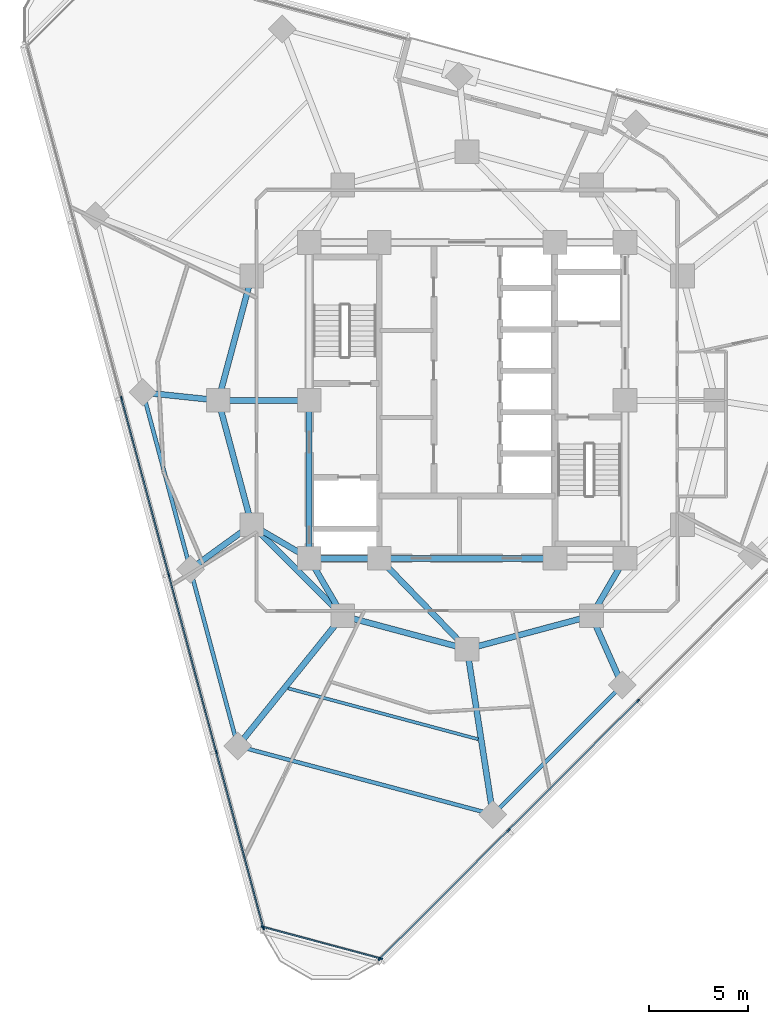
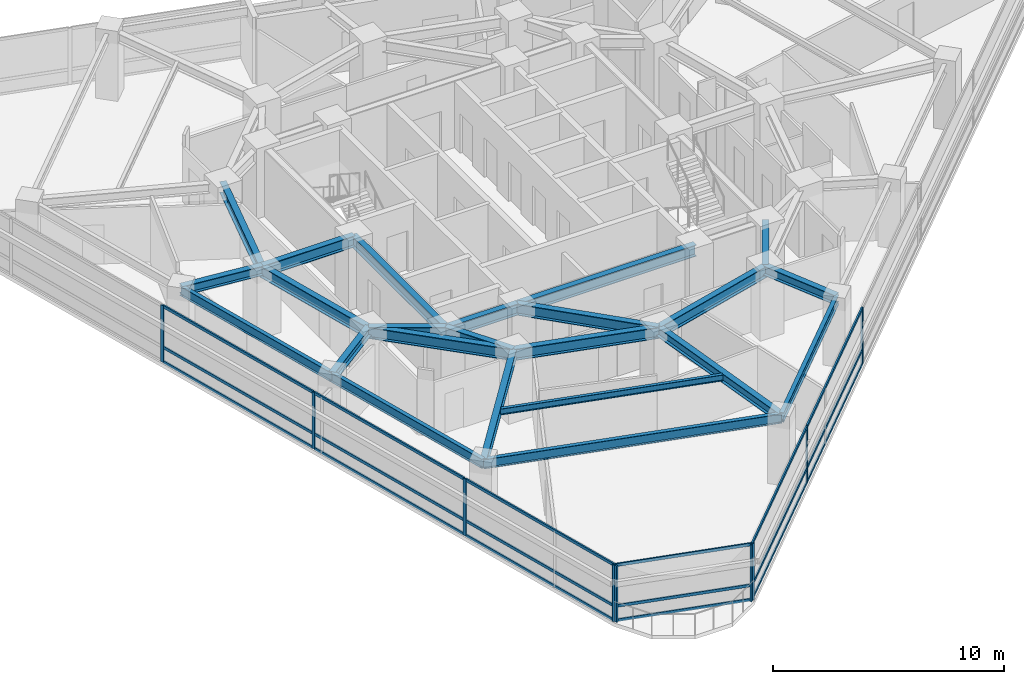
# One storey, part 2 of 14: 27 members, 23 beams, 3 elements without a shape of their own.
"""IFC4 building model written with IfcOpenShell, lengths in metres."""

from ifc_helpers import new_model, si_unit, direction, frame, origin, origin_2d, place, context, subcontext, project, spatial, rectangle, i_section, extrude, material, layer, layer_set, material_profile, profile_set, type_object, element, aggregate, save


model = new_model("IFC4")

# Units and contexts
model_context = context("Model", 3, precision=1e-05, world=origin(), true_north=direction((0.0, 1.0)))
body_context = subcontext(model_context, "Body", "Model", "MODEL_VIEW")
ifc_project = project(units=[si_unit("LENGTHUNIT", "METRE"), si_unit("AREAUNIT", "SQUARE_METRE"), si_unit("VOLUMEUNIT", "CUBIC_METRE"), si_unit("PLANEANGLEUNIT", "RADIAN"), si_unit("MASSUNIT", "GRAM", prefix="KILO")], contexts=[model_context])

# Site, building, storey
site_placement = place(None, origin())
site = spatial("IfcSite", under=ifc_project, at=site_placement, CompositionType="ELEMENT")
building_placement = place(site_placement, origin())
building = spatial("IfcBuilding", under=site, at=building_placement, Name="Terralouvre Media Tower", CompositionType="ELEMENT")
storey_placement = place(building_placement, frame((0.0, 0.0, 191.60009765625)))
storey = spatial("IfcBuildingStorey", under=building, at=storey_placement, Name="L49", CompositionType="ELEMENT", Elevation=191.60009765625)

# Beam
ifc_material_1 = material(Name="Structural steel S355J2", Category="steel")
ifc_material_profile_1 = material_profile(ifc_material_1, i_section(OverallWidth=0.159912109375, OverallDepth=0.330078125, WebThickness=0.007568359375, FlangeThickness=0.011474609375, at=origin_2d()), Name="IPE 330")
ifc_profile_set_1 = profile_set([ifc_material_profile_1], Name="Structural steel S355J2")
beam_type_1 = type_object("IfcBeamType", Name="Composite Floor Joist J-IPE330 (IPE 330)", PredefinedType="JOIST", material=ifc_profile_set_1)
beam_1_placement = place(storey_placement, frame((-9.067626953125, -14.58349609375, 3.3349609375), z_axis=(0.965923672222, -0.258827084055, 0.0), x_axis=(0.258827084055, 0.965923672222, 0.0)))
element("IfcBeam", 1, at=beam_1_placement, inside=storey, type_object=beam_type_1, Name="L49 Framing Beam JT-L49-01", PredefinedType="JOIST", context=body_context, shape_type="SweptSolid", body=[
    extrude(i_section(OverallWidth=0.159912109375, OverallDepth=0.330078125, WebThickness=0.007568359375, FlangeThickness=0.011474609375, at=origin_2d()), origin(), (0.0, 0.0, 1.0), 9.96826171875),
])

# Curtain wall, members
ifc_material_2 = material(Name="Low-iron laminated double glazing with solar-control coating", Category="glass")
ifc_layer_1 = layer(ifc_material_2, 0.1650390625, Name="Production Studio Tower Curtain Wall CW-03")
ifc_layer_set_1 = layer_set([ifc_layer_1], Name="Low-iron laminated double glazing with solar-control coating")
curtain_wall_type_1 = type_object("IfcCurtainWallType", Name="Production Studio Tower Curtain Wall CW-03", PredefinedType="NOTDEFINED", material=ifc_layer_set_1)
curtain_wall_1_placement = place(storey_placement, origin())
curtain_wall_1 = element("IfcCurtainWall", 2, at=curtain_wall_1_placement, inside=storey, type_object=curtain_wall_type_1, Name="L49 Facade Curtain Wall F0", PredefinedType="NOTDEFINED")
ifc_material_3 = material(Name="Anodised extruded aluminium 6063-T6", Category="aluminium")
ifc_material_profile_2 = material_profile(ifc_material_3, rectangle(XDim=0.074951171875, YDim=0.14990234375, at=origin_2d()), Name="ALU 75x150")
ifc_profile_set_2 = profile_set([ifc_material_profile_2], Name="Anodised extruded aluminium 6063-T6")
member_type_1 = type_object("IfcMemberType", Name="Curtain-Wall Horizontal Transom TR-150", PredefinedType="USERDEFINED", material=ifc_profile_set_2)
member_1_placement = place(storey_placement, frame((-4.399658203125, -28.27587890625, 0.037353515625), z_axis=(0.707106781187, 0.707106781187, 0.0), x_axis=(-0.707106781187, 0.707106781187, 0.0)))
member_1 = element("IfcMember", 3, at=member_1_placement, type_object=member_type_1, Name="CW-03 transom 1.1", ObjectType="TRANSOM", PredefinedType="USERDEFINED", context=body_context, shape_type="SweptSolid", body=[
    extrude(rectangle(XDim=0.074951171875, YDim=0.14990234375, at=origin_2d()), origin(), (0.0, 0.0, 1.0), 9.15966796875),
])
member_2_placement = place(storey_placement, frame((-4.399658203125, -28.27587890625, 0.7998046875), z_axis=(0.707106781187, 0.707106781187, 0.0), x_axis=(-0.707106781187, 0.707106781187, 0.0)))
member_2 = element("IfcMember", 4, at=member_2_placement, type_object=member_type_1, Name="CW-03 transom 1.2", ObjectType="TRANSOM", PredefinedType="USERDEFINED", context=body_context, shape_type="SweptSolid", body=[
    extrude(rectangle(XDim=0.074951171875, YDim=0.14990234375, at=origin_2d()), origin(), (0.0, 0.0, 1.0), 9.15966796875),
])
member_3_placement = place(storey_placement, frame((-4.399658203125, -28.27587890625, 2.96240234375), z_axis=(0.707106781187, 0.707106781187, 0.0), x_axis=(-0.707106781187, 0.707106781187, 0.0)))
member_3 = element("IfcMember", 5, at=member_3_placement, type_object=member_type_1, Name="CW-03 transom 1.3", ObjectType="TRANSOM", PredefinedType="USERDEFINED", context=body_context, shape_type="SweptSolid", body=[
    extrude(rectangle(XDim=0.074951171875, YDim=0.14990234375, at=origin_2d()), origin(), (0.0, 0.0, 1.0), 9.15966796875),
])
member_4_placement = place(storey_placement, frame((2.130126953125, -21.74609375, 0.037353515625), z_axis=(0.707093508293, 0.707120053831, 0.0), x_axis=(-0.707120053831, 0.707093508293, 0.0)))
member_4 = element("IfcMember", 6, at=member_4_placement, type_object=member_type_1, Name="CW-03 transom 2.1", ObjectType="TRANSOM", PredefinedType="USERDEFINED", context=body_context, shape_type="SweptSolid", body=[
    extrude(rectangle(XDim=0.074951171875, YDim=0.14990234375, at=origin_2d()), origin(), (0.0, 0.0, 1.0), 9.197021484375),
])
member_5_placement = place(storey_placement, frame((2.130126953125, -21.74609375, 0.7998046875), z_axis=(0.707093508293, 0.707120053831, 0.0), x_axis=(-0.707120053831, 0.707093508293, 0.0)))
member_5 = element("IfcMember", 7, at=member_5_placement, type_object=member_type_1, Name="CW-03 transom 2.2", ObjectType="TRANSOM", PredefinedType="USERDEFINED", context=body_context, shape_type="SweptSolid", body=[
    extrude(rectangle(XDim=0.074951171875, YDim=0.14990234375, at=origin_2d()), origin(), (0.0, 0.0, 1.0), 9.197021484375),
])
member_6_placement = place(storey_placement, frame((2.130126953125, -21.74609375, 2.96240234375), z_axis=(0.707093508293, 0.707120053831, 0.0), x_axis=(-0.707120053831, 0.707093508293, 0.0)))
member_6 = element("IfcMember", 8, at=member_6_placement, type_object=member_type_1, Name="CW-03 transom 2.3", ObjectType="TRANSOM", PredefinedType="USERDEFINED", context=body_context, shape_type="SweptSolid", body=[
    extrude(rectangle(XDim=0.074951171875, YDim=0.14990234375, at=origin_2d()), origin(), (0.0, 0.0, 1.0), 9.197021484375),
])

curtain_wall_2_placement = place(storey_placement, origin())
curtain_wall_2 = element("IfcCurtainWall", 9, at=curtain_wall_2_placement, inside=storey, type_object=curtain_wall_type_1, Name="L49 Facade Curtain Wall F2", PredefinedType="NOTDEFINED")
member_7_placement = place(storey_placement, frame((-17.497802734375, 0.072265625, 0.037353515625), z_axis=(0.25881569625, -0.965926723605, 0.0), x_axis=(0.965926723605, 0.25881569625, 0.0)))
member_7 = element("IfcMember", 10, at=member_7_placement, type_object=member_type_1, Name="CW-03 transom 3.1", ObjectType="TRANSOM", PredefinedType="USERDEFINED", context=body_context, shape_type="SweptSolid", body=[
    extrude(rectangle(XDim=0.074951171875, YDim=0.14990234375, at=origin_2d()), origin(), (0.0, 0.0, 1.0), 9.197265625),
])
member_8_placement = place(storey_placement, frame((-17.497802734375, 0.072265625, 0.7998046875), z_axis=(0.25881569625, -0.965926723605, 0.0), x_axis=(0.965926723605, 0.25881569625, 0.0)))
member_8 = element("IfcMember", 11, at=member_8_placement, type_object=member_type_1, Name="CW-03 transom 3.2", ObjectType="TRANSOM", PredefinedType="USERDEFINED", context=body_context, shape_type="SweptSolid", body=[
    extrude(rectangle(XDim=0.074951171875, YDim=0.14990234375, at=origin_2d()), origin(), (0.0, 0.0, 1.0), 9.197265625),
])
member_9_placement = place(storey_placement, frame((-17.497802734375, 0.072265625, 2.96240234375), z_axis=(0.25881569625, -0.965926723605, 0.0), x_axis=(0.965926723605, 0.25881569625, 0.0)))
member_9 = element("IfcMember", 12, at=member_9_placement, type_object=member_type_1, Name="CW-03 transom 3.3", ObjectType="TRANSOM", PredefinedType="USERDEFINED", context=body_context, shape_type="SweptSolid", body=[
    extrude(rectangle(XDim=0.074951171875, YDim=0.14990234375, at=origin_2d()), origin(), (0.0, 0.0, 1.0), 9.197265625),
])
member_10_placement = place(storey_placement, frame((-15.09814453125, -8.8837890625, 0.037353515625), z_axis=(0.25881569625, -0.965926723605, 0.0), x_axis=(0.965926723605, 0.25881569625, 0.0)))
member_10 = element("IfcMember", 13, at=member_10_placement, type_object=member_type_1, Name="CW-03 transom 4.1", ObjectType="TRANSOM", PredefinedType="USERDEFINED", context=body_context, shape_type="SweptSolid", body=[
    extrude(rectangle(XDim=0.074951171875, YDim=0.14990234375, at=origin_2d()), origin(), (0.0, 0.0, 1.0), 9.197265625),
])
member_11_placement = place(storey_placement, frame((-15.09814453125, -8.8837890625, 0.7998046875), z_axis=(0.25881569625, -0.965926723605, 0.0), x_axis=(0.965926723605, 0.25881569625, 0.0)))
member_11 = element("IfcMember", 14, at=member_11_placement, type_object=member_type_1, Name="CW-03 transom 4.2", ObjectType="TRANSOM", PredefinedType="USERDEFINED", context=body_context, shape_type="SweptSolid", body=[
    extrude(rectangle(XDim=0.074951171875, YDim=0.14990234375, at=origin_2d()), origin(), (0.0, 0.0, 1.0), 9.197265625),
])
member_12_placement = place(storey_placement, frame((-15.09814453125, -8.8837890625, 2.96240234375), z_axis=(0.25881569625, -0.965926723605, 0.0), x_axis=(0.965926723605, 0.25881569625, 0.0)))
member_12 = element("IfcMember", 15, at=member_12_placement, type_object=member_type_1, Name="CW-03 transom 4.3", ObjectType="TRANSOM", PredefinedType="USERDEFINED", context=body_context, shape_type="SweptSolid", body=[
    extrude(rectangle(XDim=0.074951171875, YDim=0.14990234375, at=origin_2d()), origin(), (0.0, 0.0, 1.0), 9.197265625),
])
member_13_placement = place(storey_placement, frame((-12.6982421875, -17.83984375, 0.037353515625), z_axis=(0.25881380313, -0.965927230856, 0.0), x_axis=(0.965927230856, 0.25881380313, 0.0)))
member_13 = element("IfcMember", 16, at=member_13_placement, type_object=member_type_1, Name="CW-03 transom 5.1", ObjectType="TRANSOM", PredefinedType="USERDEFINED", context=body_context, shape_type="SweptSolid", body=[
    extrude(rectangle(XDim=0.074951171875, YDim=0.14990234375, at=origin_2d()), origin(), (0.0, 0.0, 1.0), 9.159423828125),
])
member_14_placement = place(storey_placement, frame((-12.6982421875, -17.83984375, 0.7998046875), z_axis=(0.25881380313, -0.965927230856, 0.0), x_axis=(0.965927230856, 0.25881380313, 0.0)))
member_14 = element("IfcMember", 17, at=member_14_placement, type_object=member_type_1, Name="CW-03 transom 5.2", ObjectType="TRANSOM", PredefinedType="USERDEFINED", context=body_context, shape_type="SweptSolid", body=[
    extrude(rectangle(XDim=0.074951171875, YDim=0.14990234375, at=origin_2d()), origin(), (0.0, 0.0, 1.0), 9.159423828125),
])
member_15_placement = place(storey_placement, frame((-12.6982421875, -17.83984375, 2.96240234375), z_axis=(0.25881380313, -0.965927230856, 0.0), x_axis=(0.965927230856, 0.25881380313, 0.0)))
member_15 = element("IfcMember", 18, at=member_15_placement, type_object=member_type_1, Name="CW-03 transom 5.3", ObjectType="TRANSOM", PredefinedType="USERDEFINED", context=body_context, shape_type="SweptSolid", body=[
    extrude(rectangle(XDim=0.074951171875, YDim=0.14990234375, at=origin_2d()), origin(), (0.0, 0.0, 1.0), 9.159423828125),
])

ifc_material_4 = material(Name="Low-iron laminated double glazing with solar-control coating", Category="glass")
ifc_layer_2 = layer(ifc_material_4, 0.1650390625, Name="Rounded Wind-Corner Curved Glazing CW-04")
ifc_layer_set_2 = layer_set([ifc_layer_2], Name="Low-iron laminated double glazing with solar-control coating")
curtain_wall_type_2 = type_object("IfcCurtainWallType", Name="Rounded Wind-Corner Curved Glazing CW-04", PredefinedType="NOTDEFINED", material=ifc_layer_set_2)
curtain_wall_3_placement = place(storey_placement, origin())
curtain_wall_3 = element("IfcCurtainWall", 19, at=curtain_wall_3_placement, inside=storey, type_object=curtain_wall_type_2, Name="L49 Rounded Wind-Corner Curtain Wall C0", PredefinedType="NOTDEFINED")
member_16_placement = place(storey_placement, frame((-10.3154296875, -26.675048828125, 0.037353515625), z_axis=(0.965924368155, -0.25882448687, 0.0), x_axis=(0.25882448687, 0.965924368155, 0.0)))
member_16 = element("IfcMember", 20, at=member_16_placement, type_object=member_type_1, Name="CW-04 transom 1.1", ObjectType="TRANSOM", PredefinedType="USERDEFINED", context=body_context, shape_type="SweptSolid", body=[
    extrude(rectangle(XDim=0.074951171875, YDim=0.14990234375, at=origin_2d()), origin(), (0.0, 0.0, 1.0), 6.119873046875),
])
member_17_placement = place(storey_placement, frame((-10.3154296875, -26.675048828125, 0.7998046875), z_axis=(0.965924368155, -0.25882448687, 0.0), x_axis=(0.25882448687, 0.965924368155, 0.0)))
member_17 = element("IfcMember", 21, at=member_17_placement, type_object=member_type_1, Name="CW-04 transom 1.2", ObjectType="TRANSOM", PredefinedType="USERDEFINED", context=body_context, shape_type="SweptSolid", body=[
    extrude(rectangle(XDim=0.074951171875, YDim=0.14990234375, at=origin_2d()), origin(), (0.0, 0.0, 1.0), 6.119873046875),
])
member_18_placement = place(storey_placement, frame((-10.3154296875, -26.675048828125, 2.96240234375), z_axis=(0.965924368155, -0.25882448687, 0.0), x_axis=(0.25882448687, 0.965924368155, 0.0)))
member_18 = element("IfcMember", 22, at=member_18_placement, type_object=member_type_1, Name="CW-04 transom 1.3", ObjectType="TRANSOM", PredefinedType="USERDEFINED", context=body_context, shape_type="SweptSolid", body=[
    extrude(rectangle(XDim=0.074951171875, YDim=0.14990234375, at=origin_2d()), origin(), (0.0, 0.0, 1.0), 6.119873046875),
])

# Member
ifc_material_5 = material(Name="Anodised extruded aluminium 6063-T6", Category="aluminium")
ifc_material_profile_3 = material_profile(ifc_material_5, rectangle(XDim=0.074951171875, YDim=0.179931640625, at=origin_2d()), Name="ALU 75x180")
ifc_profile_set_3 = profile_set([ifc_material_profile_3], Name="Anodised extruded aluminium 6063-T6")
member_type_2 = type_object("IfcMemberType", Name="Curtain-Wall Vertical Mullion ML-180", PredefinedType="MULLION", material=ifc_profile_set_3)
member_19_placement = place(storey_placement, frame((-4.42626953125, -28.30224609375, 0.0), z_axis=(0.0, 0.0, 1.0), x_axis=(-0.707106781187, 0.707106781187, 0.0)))
member_19 = element("IfcMember", 23, at=member_19_placement, type_object=member_type_2, Name="CW-03 mullion 1", PredefinedType="MULLION", context=body_context, shape_type="SweptSolid", body=[
    extrude(rectangle(XDim=0.074951171875, YDim=0.179931640625, at=origin_2d()), origin(), (0.0, 0.0, 1.0), 3.0),
])

member_20_placement = place(storey_placement, frame((2.103515625, -21.7724609375, 0.0), z_axis=(0.0, 0.0, 1.0), x_axis=(-0.707106781187, 0.707106781187, 0.0)))
member_20 = element("IfcMember", 24, at=member_20_placement, type_object=member_type_2, Name="CW-03 mullion 2", PredefinedType="MULLION", context=body_context, shape_type="SweptSolid", body=[
    extrude(rectangle(XDim=0.074951171875, YDim=0.179931640625, at=origin_2d()), origin(), (0.0, 0.0, 1.0), 3.0),
])

member_21_placement = place(storey_placement, frame((8.659912109375, -15.21630859375, 0.0), z_axis=(0.0, 0.0, 1.0), x_axis=(-0.707106781187, 0.707106781187, 0.0)))
member_21 = element("IfcMember", 25, at=member_21_placement, type_object=member_type_2, Name="CW-03 mullion 3", PredefinedType="MULLION", context=body_context, shape_type="SweptSolid", body=[
    extrude(rectangle(XDim=0.074951171875, YDim=0.179931640625, at=origin_2d()), origin(), (0.0, 0.0, 1.0), 3.0),
])

aggregate(curtain_wall_1, [member_19, member_20, member_21, member_1, member_2, member_3, member_4, member_5, member_6])

member_22_placement = place(storey_placement, frame((-17.507568359375, 0.1083984375, 0.0), z_axis=(0.0, 0.0, 1.0), x_axis=(0.96592582942, 0.25881903342, 0.0)))
member_22 = element("IfcMember", 26, at=member_22_placement, type_object=member_type_2, Name="CW-03 mullion 3", PredefinedType="MULLION", context=body_context, shape_type="SweptSolid", body=[
    extrude(rectangle(XDim=0.074951171875, YDim=0.179931640625, at=origin_2d()), origin(), (0.0, 0.0, 1.0), 3.0),
])

member_23_placement = place(storey_placement, frame((-15.10791015625, -8.84765625, 0.0), z_axis=(0.0, 0.0, 1.0), x_axis=(0.96592582942, 0.25881903342, 0.0)))
member_23 = element("IfcMember", 27, at=member_23_placement, type_object=member_type_2, Name="CW-03 mullion 4", PredefinedType="MULLION", context=body_context, shape_type="SweptSolid", body=[
    extrude(rectangle(XDim=0.074951171875, YDim=0.179931640625, at=origin_2d()), origin(), (0.0, 0.0, 1.0), 3.0),
])

member_24_placement = place(storey_placement, frame((-12.7080078125, -17.8037109375, 0.0), z_axis=(0.0, 0.0, 1.0), x_axis=(0.96592582942, 0.25881903342, 0.0)))
member_24 = element("IfcMember", 28, at=member_24_placement, type_object=member_type_2, Name="CW-03 mullion 5", PredefinedType="MULLION", context=body_context, shape_type="SweptSolid", body=[
    extrude(rectangle(XDim=0.074951171875, YDim=0.179931640625, at=origin_2d()), origin(), (0.0, 0.0, 1.0), 3.0),
])

member_25_placement = place(storey_placement, frame((-10.31787109375, -26.7236328125, 0.0), z_axis=(0.0, 0.0, 1.0), x_axis=(0.96592582942, 0.25881903342, 0.0)))
member_25 = element("IfcMember", 29, at=member_25_placement, type_object=member_type_2, Name="CW-03 mullion 6", PredefinedType="MULLION", context=body_context, shape_type="SweptSolid", body=[
    extrude(rectangle(XDim=0.074951171875, YDim=0.179931640625, at=origin_2d()), origin(), (0.0, 0.0, 1.0), 3.0),
])

aggregate(curtain_wall_2, [member_22, member_23, member_24, member_25, member_7, member_8, member_9, member_10, member_11, member_12, member_13, member_14, member_15])

member_26_placement = place(storey_placement, frame((-10.351806640625, -26.665283203125, 0.0), z_axis=(0.0, 0.0, 1.0), x_axis=(0.258818728144, 0.965925911218, 0.0)))
member_26 = element("IfcMember", 30, at=member_26_placement, type_object=member_type_2, Name="CW-04 mullion 1", PredefinedType="MULLION", context=body_context, shape_type="SweptSolid", body=[
    extrude(rectangle(XDim=0.074951171875, YDim=0.179931640625, at=origin_2d()), origin(), (0.0, 0.0, 1.0), 3.0),
])

member_27_placement = place(storey_placement, frame((-4.367919921875, -28.268798828125, 0.0), z_axis=(0.0, 0.0, 1.0), x_axis=(0.258818728144, 0.965925911218, 0.0)))
member_27 = element("IfcMember", 31, at=member_27_placement, type_object=member_type_2, Name="CW-04 mullion 2", PredefinedType="MULLION", context=body_context, shape_type="SweptSolid", body=[
    extrude(rectangle(XDim=0.074951171875, YDim=0.179931640625, at=origin_2d()), origin(), (0.0, 0.0, 1.0), 3.0),
])

aggregate(curtain_wall_3, [member_26, member_27, member_16, member_17, member_18])

# Beams
ifc_material_6 = material(Name="Structural steel S355J2", Category="steel")
ifc_material_profile_4 = material_profile(ifc_material_6, i_section(OverallWidth=0.199951171875, OverallDepth=0.5, WebThickness=0.01025390625, FlangeThickness=0.01611328125, at=origin_2d()), Name="IPE 500")
ifc_profile_set_4 = profile_set([ifc_material_profile_4], Name="Structural steel S355J2")
beam_type_2 = type_object("IfcBeamType", Name="Perimeter Spandrel Beam SPB-500 (IPE 500)", PredefinedType="SPANDREL", material=ifc_profile_set_4)
beam_2_placement = place(storey_placement, frame((-14.016357421875, -8.55517578125, 3.25), z_axis=(0.258832601786, -0.965922193685, 0.0), x_axis=(0.965922193685, 0.258832601786, 0.0)))
element("IfcBeam", 32, at=beam_2_placement, inside=storey, type_object=beam_type_2, Name="L49 Framing Beam BM-L49-PR01", PredefinedType="SPANDREL", context=body_context, shape_type="SweptSolid", body=[
    extrude(i_section(OverallWidth=0.199951171875, OverallDepth=0.5, WebThickness=0.01025390625, FlangeThickness=0.01611328125, at=origin_2d()), origin(), (0.0, 0.0, 1.0), 9.27197265625),
])
beam_3_placement = place(storey_placement, frame((-11.616455078125, -17.51123046875, 3.25), z_axis=(0.965926789058, -0.258815451972, 0.0), x_axis=(0.258815451972, 0.965926789058, 0.0)))
element("IfcBeam", 33, at=beam_3_placement, inside=storey, type_object=beam_type_2, Name="L49 Framing Beam BM-L49-PR02", PredefinedType="SPANDREL", context=body_context, shape_type="SweptSolid", body=[
    extrude(i_section(OverallWidth=0.199951171875, OverallDepth=0.5, WebThickness=0.01025390625, FlangeThickness=0.01611328125, at=origin_2d()), origin(), (0.0, 0.0, 1.0), 13.376953125),
])
beam_4_placement = place(storey_placement, frame((1.3046875, -20.973388671875, 3.25), z_axis=(0.707106781187, 0.707106781187, 0.0), x_axis=(-0.707106781187, 0.707106781187, 0.0)))
element("IfcBeam", 34, at=beam_4_placement, inside=storey, type_object=beam_type_2, Name="L49 Framing Beam BM-L49-PR03", PredefinedType="SPANDREL", context=body_context, shape_type="SweptSolid", body=[
    extrude(i_section(OverallWidth=0.199951171875, OverallDepth=0.5, WebThickness=0.01025390625, FlangeThickness=0.01611328125, at=origin_2d()), origin(), (0.0, 0.0, 1.0), 9.271728515625),
])
beam_5_placement = place(storey_placement, frame((-16.416015625, 0.40087890625, 3.25), z_axis=(0.258808034669, -0.965928776458, 0.0), x_axis=(0.965928776458, 0.258808034669, 0.0)))
element("IfcBeam", 35, at=beam_5_placement, inside=storey, type_object=beam_type_2, Name="L49 Framing Beam BM-L49-PR12", PredefinedType="SPANDREL", context=body_context, shape_type="SweptSolid", body=[
    extrude(i_section(OverallWidth=0.199951171875, OverallDepth=0.5, WebThickness=0.01025390625, FlangeThickness=0.01611328125, at=origin_2d()), origin(), (0.0, 0.0, 1.0), 9.27197265625),
])
ifc_material_7 = material(Name="Structural steel S355J2", Category="steel")
ifc_material_profile_5 = material_profile(ifc_material_7, i_section(OverallWidth=0.300048828125, OverallDepth=0.5, WebThickness=0.014404296875, FlangeThickness=0.028076171875, at=origin_2d()), Name="HEB 500")
ifc_profile_set_5 = profile_set([ifc_material_profile_5], Name="Structural steel S355J2")
beam_type_3 = type_object("IfcBeamType", Name="Primary Floor Girder B-HEB500 (HEB 500)", PredefinedType="BEAM", material=ifc_profile_set_5)
beam_6_placement = place(storey_placement, frame((-10.911865234375, -6.300048828125, 3.25), z_axis=(-0.809068873767, -0.587713839807, 0.0), x_axis=(0.587713839807, -0.809068873767, 0.0)))
element("IfcBeam", 36, at=beam_6_placement, inside=storey, type_object=beam_type_3, Name="L49 Framing Beam BM-L49-RD01", PredefinedType="BEAM", context=body_context, shape_type="SweptSolid", body=[
    extrude(i_section(OverallWidth=0.300048828125, OverallDepth=0.5, WebThickness=0.014404296875, FlangeThickness=0.028076171875, at=origin_2d()), origin(), (0.0, 0.0, 1.0), 3.837158203125),
])
for number, where, z_axis, x_axis, name in (
    (37, (-6.300048828125, -10.911865234375, 3.25), (-0.62734749454, -0.778739443649, 0.0), (0.778739443649, -0.62734749454, 0.0), "L49 Framing Beam BM-L49-RD02"),
    (38, (0.0, -12.60009765625, 3.25), (0.153957660154, -0.988077445791, 0.0), (0.988077445791, 0.153957660154, 0.0), "L49 Framing Beam BM-L49-RD03"),
):
    element("IfcBeam", number, at=place(storey_placement, frame(where, z_axis=z_axis, x_axis=x_axis)), inside=storey, type_object=beam_type_3, Name=name, PredefinedType="BEAM", context=body_context, shape_type="SweptSolid", body=[
        extrude(i_section(OverallWidth=0.300048828125, OverallDepth=0.5, WebThickness=0.014404296875, FlangeThickness=0.028076171875, at=origin_2d()), origin(), (0.0, 0.0, 1.0), 8.474365234375),
    ])
beam_7_placement = place(storey_placement, frame((6.300048828125, -10.911865234375, 3.25), z_axis=(0.406758229915, -0.913535846257, 0.0), x_axis=(0.913535846257, 0.406758229915, 0.0)))
element("IfcBeam", 39, at=beam_7_placement, inside=storey, type_object=beam_type_3, Name="L49 Framing Beam BM-L49-RD04", PredefinedType="BEAM", context=body_context, shape_type="SweptSolid", body=[
    extrude(i_section(OverallWidth=0.300048828125, OverallDepth=0.5, WebThickness=0.014404296875, FlangeThickness=0.028076171875, at=origin_2d()), origin(), (0.0, 0.0, 1.0), 3.837158203125),
])
beam_8_placement = place(storey_placement, frame((-12.60009765625, 0.0, 3.25), z_axis=(-0.994527048272, 0.104479425033, 0.0), x_axis=(-0.104479425033, -0.994527048272, 0.0)))
element("IfcBeam", 40, at=beam_8_placement, inside=storey, type_object=beam_type_3, Name="L49 Framing Beam BM-L49-RD12", PredefinedType="BEAM", context=body_context, shape_type="SweptSolid", body=[
    extrude(i_section(OverallWidth=0.300048828125, OverallDepth=0.5, WebThickness=0.014404296875, FlangeThickness=0.028076171875, at=origin_2d()), origin(), (0.0, 0.0, 1.0), 3.8369140625),
])
ifc_material_8 = material(Name="Structural steel S460M", Category="steel")
ifc_material_profile_6 = material_profile(ifc_material_8, i_section(OverallWidth=0.300048828125, OverallDepth=0.60009765625, WebThickness=0.015380859375, FlangeThickness=0.030029296875, at=origin_2d()), Name="HEB 600")
ifc_profile_set_6 = profile_set([ifc_material_profile_6], Name="Structural steel S460M")
beam_type_4 = type_object("IfcBeamType", Name="Primary Floor Girder B-HEB600 (HEB 600)", PredefinedType="BEAM", material=ifc_profile_set_6)
beam_9_placement = place(storey_placement, frame((-8.0, -8.0, 3.199951171875), z_axis=(1.0, 0.0, 0.0), x_axis=(0.0, 1.0, 0.0)))
element("IfcBeam", 41, at=beam_9_placement, inside=storey, type_object=beam_type_4, Name="L49 Framing Beam BM-L49-CPR01", PredefinedType="BEAM", context=body_context, shape_type="SweptSolid", body=[
    extrude(i_section(OverallWidth=0.300048828125, OverallDepth=0.60009765625, WebThickness=0.015380859375, FlangeThickness=0.030029296875, at=origin_2d()), origin(), (0.0, 0.0, 1.0), 3.550048828125),
])
beam_10_placement = place(storey_placement, frame((-4.449951171875, -8.0, 3.199951171875), z_axis=(1.0, 0.0, 0.0), x_axis=(0.0, 1.0, 0.0)))
element("IfcBeam", 42, at=beam_10_placement, inside=storey, type_object=beam_type_4, Name="L49 Framing Beam BM-L49-CPR02", PredefinedType="BEAM", context=body_context, shape_type="SweptSolid", body=[
    extrude(i_section(OverallWidth=0.300048828125, OverallDepth=0.60009765625, WebThickness=0.015380859375, FlangeThickness=0.030029296875, at=origin_2d()), origin(), (0.0, 0.0, 1.0), 8.89990234375),
])
beam_11_placement = place(storey_placement, frame((-8.0, 0.0, 3.199951171875), z_axis=(0.0, -1.0, 0.0), x_axis=(1.0, 0.0, 0.0)))
element("IfcBeam", 43, at=beam_11_placement, inside=storey, type_object=beam_type_4, Name="L49 Framing Beam BM-L49-CPR10", PredefinedType="BEAM", context=body_context, shape_type="SweptSolid", body=[
    extrude(i_section(OverallWidth=0.300048828125, OverallDepth=0.60009765625, WebThickness=0.015380859375, FlangeThickness=0.030029296875, at=origin_2d()), origin(), (0.0, 0.0, 1.0), 8.0),
])
beam_12_placement = place(storey_placement, frame((-10.911865234375, -6.300048828125, 3.199951171875), z_axis=(0.707106781187, -0.707106781187, 0.0), x_axis=(0.707106781187, 0.707106781187, 0.0)))
element("IfcBeam", 44, at=beam_12_placement, inside=storey, type_object=beam_type_4, Name="L49 Framing Beam BM-L49-MR01", PredefinedType="BEAM", context=body_context, shape_type="SweptSolid", body=[
    extrude(i_section(OverallWidth=0.300048828125, OverallDepth=0.60009765625, WebThickness=0.015380859375, FlangeThickness=0.030029296875, at=origin_2d()), origin(), (0.0, 0.0, 1.0), 6.52197265625),
])
for number, where, z_axis, x_axis, name in (
    (45, (-6.300048828125, -10.911865234375, 3.199951171875), (0.965920481897, -0.258838989821, 0.0), (0.258838989821, 0.965920481897, 0.0), "L49 Framing Beam BM-L49-MR02"),
    (46, (0.0, -12.60009765625, 3.199951171875), (0.965920481897, 0.258838989821, 0.0), (-0.258838989821, 0.965920481897, 0.0), "L49 Framing Beam BM-L49-MR03"),
    (47, (-10.911865234375, 6.300048828125, 3.199951171875), (-0.258838989821, -0.965920481897, 0.0), (0.965920481897, -0.258838989821, 0.0), "L49 Framing Beam BM-L49-MR11"),
    (48, (-12.60009765625, 0.0, 3.199951171875), (0.258838989821, -0.965920481897, 0.0), (0.965920481897, 0.258838989821, 0.0), "L49 Framing Beam BM-L49-MR12"),
):
    element("IfcBeam", number, at=place(storey_placement, frame(where, z_axis=z_axis, x_axis=x_axis)), inside=storey, type_object=beam_type_4, Name=name, PredefinedType="BEAM", context=body_context, shape_type="SweptSolid", body=[
        extrude(i_section(OverallWidth=0.300048828125, OverallDepth=0.60009765625, WebThickness=0.015380859375, FlangeThickness=0.030029296875, at=origin_2d()), origin(), (0.0, 0.0, 1.0), 6.522216796875),
    ])
for number, where, z_axis, x_axis, name in (
    (49, (-8.0, -8.0, 3.199951171875), (-0.863602894532, 0.504172629717, 0.0), (-0.504172629717, -0.863602894532, 0.0), "L49 Framing Beam BM-L49-CM01"),
    (50, (-8.0, -8.0, 3.199951171875), (0.504172629717, -0.863602894532, 0.0), (0.863602894532, 0.504172629717, 0.0), "L49 Framing Beam BM-L49-CM02"),
):
    element("IfcBeam", number, at=place(storey_placement, frame(where, z_axis=z_axis, x_axis=x_axis)), inside=storey, type_object=beam_type_4, Name=name, PredefinedType="BEAM", context=body_context, shape_type="SweptSolid", body=[
        extrude(i_section(OverallWidth=0.300048828125, OverallDepth=0.60009765625, WebThickness=0.015380859375, FlangeThickness=0.030029296875, at=origin_2d()), origin(), (0.0, 0.0, 1.0), 3.371826171875),
    ])
beam_13_placement = place(storey_placement, frame((-4.449951171875, -8.0, 3.199951171875), z_axis=(0.695279715726, -0.718739255155, 0.0), x_axis=(0.718739255155, 0.695279715726, 0.0)))
element("IfcBeam", 51, at=beam_13_placement, inside=storey, type_object=beam_type_4, Name="L49 Framing Beam BM-L49-CM03", PredefinedType="BEAM", context=body_context, shape_type="SweptSolid", body=[
    extrude(i_section(OverallWidth=0.300048828125, OverallDepth=0.60009765625, WebThickness=0.015380859375, FlangeThickness=0.030029296875, at=origin_2d()), origin(), (0.0, 0.0, 1.0), 6.400146484375),
])
beam_14_placement = place(storey_placement, frame((8.0, -8.0, 3.199951171875), z_axis=(-0.504172629717, -0.863602894532, 0.0), x_axis=(0.863602894532, -0.504172629717, 0.0)))
element("IfcBeam", 52, at=beam_14_placement, inside=storey, type_object=beam_type_4, Name="L49 Framing Beam BM-L49-CM04", PredefinedType="BEAM", context=body_context, shape_type="SweptSolid", body=[
    extrude(i_section(OverallWidth=0.300048828125, OverallDepth=0.60009765625, WebThickness=0.015380859375, FlangeThickness=0.030029296875, at=origin_2d()), origin(), (0.0, 0.0, 1.0), 3.371826171875),
])
beam_15_placement = place(storey_placement, frame((-8.0, 0.0, 3.199951171875), z_axis=(-1.0, 0.0, 0.0), x_axis=(0.0, -1.0, 0.0)))
element("IfcBeam", 53, at=beam_15_placement, inside=storey, type_object=beam_type_4, Name="L49 Framing Beam BM-L49-CM12", PredefinedType="BEAM", context=body_context, shape_type="SweptSolid", body=[
    extrude(i_section(OverallWidth=0.300048828125, OverallDepth=0.60009765625, WebThickness=0.015380859375, FlangeThickness=0.030029296875, at=origin_2d()), origin(), (0.0, 0.0, 1.0), 4.60009765625),
])

save(model, "model.ifc")
